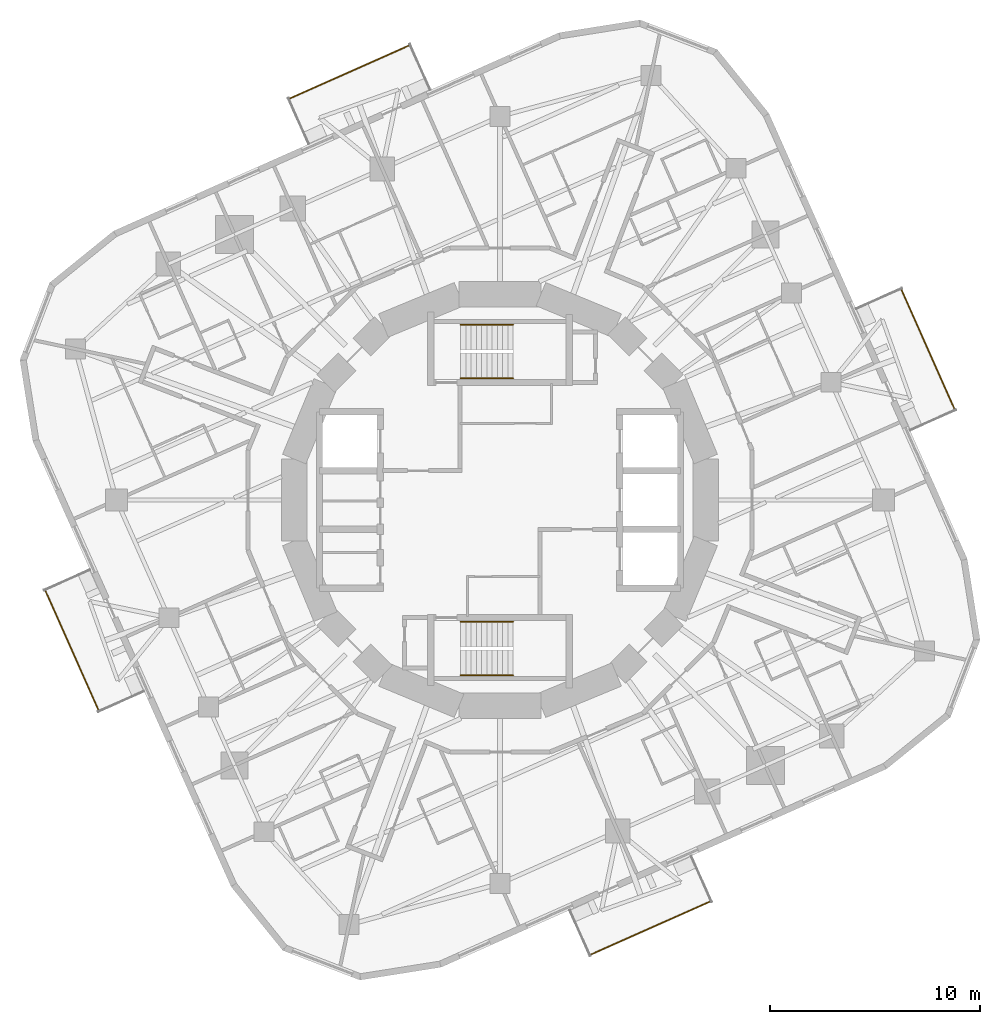
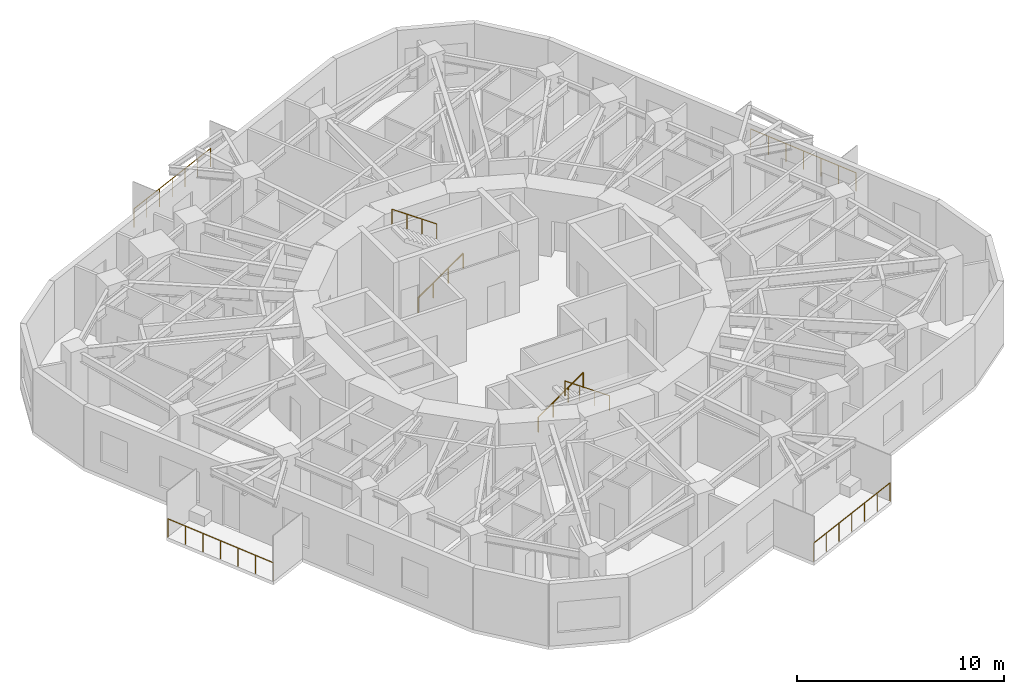
# One storey, part 11 of 12: 8 railings.
"""IFC4 building model written with IfcOpenShell, lengths in metres."""

import ifcopenshell
import ifcopenshell.guid

model = None  # the IFC model being written
_history = None  # IfcOwnerHistory: only IFC2X3 demands one
_inside = {}  # id of a spatial element -> (the spatial element, [elements in it])
_under = {}  # id of a project, library or spatial element -> (it, [spatial elements below it])
_declared = {}  # id of a project -> (the project, [libraries it declares])
_typed = {}  # id of a type object -> (the type object, [elements of that type])
_made_of = {}  # id of a material, layer set ... -> (it, [elements and type objects made of it])


def new_model(schema):
    """Start an empty IFC model of exactly this schema.

    Asked for "IFC4X3", IfcOpenShell would pick the latest addendum, in which some entities
    have other attributes; the version numbers below select the first issue.
    IFC2X3 requires an IfcOwnerHistory on every rooted entity: one is made here for all.
    """
    global model, _history
    if schema == "IFC4X3":
        model = ifcopenshell.file(schema_version=(4, 3, 0, 0))
    else:
        model = ifcopenshell.file(schema=schema)
    _inside.clear()
    _under.clear()
    _declared.clear()
    _typed.clear()
    _made_of.clear()
    _history = None
    if model.schema == "IFC2X3":
        org = make("IfcOrganization", Name="unknown")
        user = make(
            "IfcPersonAndOrganization",
            ThePerson=make("IfcPerson", FamilyName="unknown"),
            TheOrganization=org,
        )
        app = make(
            "IfcApplication",
            ApplicationDeveloper=org,
            Version="unknown",
            ApplicationFullName="unknown",
            ApplicationIdentifier="unknown",
        )
        _history = make(
            "IfcOwnerHistory",
            OwningUser=user,
            OwningApplication=app,
            ChangeAction="ADDED",
            CreationDate=0,
        )
    return model


def make(cls, **values):
    """One entity of the class cls with the attributes given. An attribute that is None is left unset."""
    return model.create_entity(
        cls, **{name: value for name, value in values.items() if value is not None}
    )


def rooted(cls, **values):
    """An entity with a GlobalId (a new one), such as an element, a storey or a relation."""
    return make(cls, GlobalId=ifcopenshell.guid.new(), OwnerHistory=_history, **values)


def si_unit(unit_type, name, prefix=None):
    """IfcSIUnit, for example si_unit("LENGTHUNIT", "METRE", prefix="MILLI")."""
    return make("IfcSIUnit", UnitType=unit_type, Prefix=prefix, Name=name)


def assignment(units):
    """IfcUnitAssignment: the units of a project."""
    return None if units is None else make("IfcUnitAssignment", Units=units)


def point(xyz):
    """IfcCartesianPoint."""
    return None if xyz is None else make("IfcCartesianPoint", Coordinates=xyz)


def direction(xyz):
    """IfcDirection."""
    return None if xyz is None else make("IfcDirection", DirectionRatios=xyz)


def frame(location, z_axis=None, x_axis=None):
    """IfcAxis2Placement3D, a coordinate frame: its origin and axes. An axis left out is left unset."""
    return make(
        "IfcAxis2Placement3D",
        Location=point(location),
        Axis=direction(z_axis),
        RefDirection=direction(x_axis),
    )


def frame_2d(location, x_axis=None):
    """IfcAxis2Placement2D, a coordinate frame in the plane: its origin and x axis."""
    return make(
        "IfcAxis2Placement2D", Location=point(location), RefDirection=direction(x_axis)
    )


def origin():
    """The frame at (0, 0, 0) with its axes left unset."""
    return frame((0.0, 0.0, 0.0))


def origin_2d():
    """The frame at (0, 0) in the plane with its x axis left unset."""
    return frame_2d((0.0, 0.0))


def place(relative_to, where):
    """IfcLocalPlacement: puts the frame where relative to a parent placement (None: the world)."""
    return make(
        "IfcLocalPlacement", PlacementRelTo=relative_to, RelativePlacement=where
    )


def context(
    kind, dimensions, precision=None, world=None, true_north=None, identifier=None
):
    """IfcGeometricRepresentationContext, for example the 3D "Model" context."""
    return make(
        "IfcGeometricRepresentationContext",
        ContextIdentifier=identifier,
        ContextType=kind,
        CoordinateSpaceDimension=dimensions,
        Precision=precision,
        WorldCoordinateSystem=world,
        TrueNorth=true_north,
    )


def subcontext(parent, identifier, kind, view, scale=None):
    """IfcGeometricRepresentationSubContext, for example "Body" below "Model"."""
    return make(
        "IfcGeometricRepresentationSubContext",
        ContextIdentifier=identifier,
        ContextType=kind,
        ParentContext=parent,
        TargetScale=scale,
        TargetView=view,
    )


def project(units=None, contexts=None):
    """IfcProject with its units and contexts."""
    return rooted(
        "IfcProject",
        Name="project",
        RepresentationContexts=contexts,
        UnitsInContext=assignment(units),
    )


def spatial(cls, under=None, at=None, **own):
    """A site, building, storey or space (cls), placed at a placement, below another one or the project."""
    s = rooted(cls, ObjectPlacement=at, **own)
    if under is not None:
        _under.setdefault(under.id(), (under, []))[1].append(s)
    return s


def profile(cls, at=None, kind="AREA", **sizes):
    """A parametric profile (cls). Its sizes go by their IFC names, for example OverallWidth=200.0."""
    return make(cls, ProfileType=kind, Position=at, **sizes)


def circle(**sizes):
    """IfcCircleProfileDef."""
    return profile("IfcCircleProfileDef", **sizes)


def extrude(swept, where, along, depth):
    """IfcExtrudedAreaSolid: the profile swept, set in the frame where, extruded along a direction by depth."""
    return make(
        "IfcExtrudedAreaSolid",
        SweptArea=swept,
        Position=where,
        ExtrudedDirection=direction(along),
        Depth=depth,
    )


def shape(context_of_items, identifier, shape_type, items):
    """IfcShapeRepresentation: the items that make up one representation, for example the "Body"."""
    return make(
        "IfcShapeRepresentation",
        ContextOfItems=context_of_items,
        RepresentationIdentifier=identifier,
        RepresentationType=shape_type,
        Items=items,
    )


def material(Name=None, Category=None):
    """IfcMaterial."""
    return make("IfcMaterial", Name=Name, Category=Category)


def made_of(thing, what):
    """Note that an element or type object is made of a material, layer set ...; save() writes the relation."""
    if what is not None:
        _made_of.setdefault(what.id(), (what, []))[1].append(thing)
    return thing


def type_object(cls, material=None, **own):
    """A type object (cls), such as IfcWallType, which elements share."""
    return made_of(rooted(cls, **own), material)


def element(
    cls,
    number,
    at=None,
    inside=None,
    cuts=None,
    type_object=None,
    material=None,
    context=None,
    identifier="Body",
    shape_type=None,
    held_by="IfcProductDefinitionShape",
    body=None,
    shapes=None,
    **own,
):
    """One element of the class cls, such as IfcWall. Its Tag is "e" and its number.

    at: its placement. inside: the storey or other place that contains it. cuts: it is an
    opening in that element (IfcRelVoidsElement). A single representation is given by context,
    identifier, shape_type and body (its items); several are given by shapes. held_by: the class
    of the entity that holds the representations. save() writes the other relations.
    """
    e = rooted(cls, Tag="e%d" % number, ObjectPlacement=at, **own)
    if body is not None:
        shapes = [shape(context, identifier, shape_type, body)]
    if shapes is not None:
        e.Representation = make(held_by, Representations=shapes)
    if inside is not None:
        _inside.setdefault(inside.id(), (inside, []))[1].append(e)
    if cuts is not None:
        rooted(
            "IfcRelVoidsElement", RelatingBuildingElement=cuts, RelatedOpeningElement=e
        )
    if type_object is not None:
        _typed.setdefault(type_object.id(), (type_object, []))[1].append(e)
    return made_of(e, material)


def aggregate(whole, parts):
    """IfcRelAggregates: a whole, such as a stair, and the parts it consists of."""
    return rooted("IfcRelAggregates", RelatingObject=whole, RelatedObjects=parts)


def save(model, path):
    """Write the relations noted so far, then the file.

    IfcRelAggregates (storeys below a building ...), IfcRelContainedInSpatialStructure (elements
    in a storey), IfcRelDefinesByType, IfcRelAssociatesMaterial and IfcRelDeclares: one each for
    every whole, place, type object, material and project.
    """
    for whole, parts in _under.values():
        aggregate(whole, parts)
    for where, things in _inside.values():
        rooted(
            "IfcRelContainedInSpatialStructure",
            RelatedElements=things,
            RelatingStructure=where,
        )
    for kind, things in _typed.values():
        rooted("IfcRelDefinesByType", RelatedObjects=things, RelatingType=kind)
    for what, things in _made_of.values():
        rooted("IfcRelAssociatesMaterial", RelatedObjects=things, RelatingMaterial=what)
    for by, libraries in _declared.values():
        rooted("IfcRelDeclares", RelatingContext=by, RelatedDefinitions=libraries)
    model.write(path)


model = new_model("IFC4")

# Units and contexts
model_context = context("Model", 3, precision=1e-05, world=origin(), true_north=direction((0.0, 1.0)))
body_context = subcontext(model_context, "Body", "Model", "MODEL_VIEW")
ifc_project = project(units=[si_unit("LENGTHUNIT", "METRE"), si_unit("AREAUNIT", "SQUARE_METRE"), si_unit("VOLUMEUNIT", "CUBIC_METRE"), si_unit("PLANEANGLEUNIT", "RADIAN"), si_unit("MASSUNIT", "GRAM", prefix="KILO")], contexts=[model_context])

# Site, building, storey
site_placement = place(None, origin())
site = spatial("IfcSite", under=ifc_project, at=site_placement, CompositionType="ELEMENT")
building_placement = place(site_placement, origin())
building = spatial("IfcBuilding", under=site, at=building_placement, Name="Nakasero Lantern House", CompositionType="ELEMENT")
storey_placement = place(building_placement, frame((0.0, 0.0, 194.0)))
storey = spatial("IfcBuildingStorey", under=building, at=storey_placement, Name="L47", CompositionType="ELEMENT", Elevation=194.0)

# Railings
ifc_material_1 = material(Name="Aluminium 6063-T6", Category="aluminium")
railing_type_1 = type_object("IfcRailingType", Name="Balcony guard 1100", PredefinedType="BALUSTRADE", material=ifc_material_1)
railing_1_placement = place(storey_placement, frame((21.67529296875, 4.29931640625, 0.0)))
element("IfcRailing", 1, at=railing_1_placement, inside=storey, type_object=railing_type_1, Name="Balcony guard L47 BAL0", PredefinedType="BALUSTRADE", context=body_context, shape_type="SweptSolid", body=[
    extrude(circle(Radius=0.02392578125, at=origin_2d()), frame((0.0, 0.0, 1.076171875), z_axis=(-0.40676486805, 0.913532890552, 0.0), x_axis=(-0.913532890552, -0.40676486805, 0.0)), (0.0, 0.0, 1.0), 6.291259765625),
    extrude(circle(Radius=0.02099609375, at=origin_2d()), origin(), (0.0, 0.0, 1.0), 1.052001953125),
    extrude(circle(Radius=0.02099609375, at=origin_2d()), frame((-0.426513671875, 0.9580078125, 0.0)), (0.0, 0.0, 1.0), 1.052001953125),
    extrude(circle(Radius=0.02099609375, at=origin_2d()), frame((-0.85302734375, 1.915771484375, 0.0)), (0.0, 0.0, 1.0), 1.052001953125),
    extrude(circle(Radius=0.02099609375, at=origin_2d()), frame((-1.279541015625, 2.87353515625, 0.0)), (0.0, 0.0, 1.0), 1.052001953125),
    extrude(circle(Radius=0.02099609375, at=origin_2d()), frame((-1.7060546875, 3.83154296875, 0.0)), (0.0, 0.0, 1.0), 1.052001953125),
    extrude(circle(Radius=0.02099609375, at=origin_2d()), frame((-2.132568359375, 4.78955078125, 0.0)), (0.0, 0.0, 1.0), 1.052001953125),
    extrude(circle(Radius=0.02099609375, at=origin_2d()), frame((-2.55908203125, 5.747314453125, 0.0)), (0.0, 0.0, 1.0), 1.052001953125),
])
railing_2_placement = place(storey_placement, frame((-4.29931640625, 21.67529296875, 0.0)))
element("IfcRailing", 2, at=railing_2_placement, inside=storey, type_object=railing_type_1, Name="Balcony guard L47 BAL1", PredefinedType="BALUSTRADE", context=body_context, shape_type="SweptSolid", body=[
    extrude(circle(Radius=0.02392578125, at=origin_2d()), frame((0.0, 0.0, 1.076171875), z_axis=(-0.913532890552, -0.40676486805, 0.0), x_axis=(0.40676486805, -0.913532890552, 0.0)), (0.0, 0.0, 1.0), 6.291259765625),
    extrude(circle(Radius=0.02099609375, at=origin_2d()), origin(), (0.0, 0.0, 1.0), 1.052001953125),
    extrude(circle(Radius=0.02099609375, at=origin_2d()), frame((-0.9580078125, -0.426513671875, 0.0)), (0.0, 0.0, 1.0), 1.052001953125),
    extrude(circle(Radius=0.02099609375, at=origin_2d()), frame((-1.915771484375, -0.85302734375, 0.0)), (0.0, 0.0, 1.0), 1.052001953125),
    extrude(circle(Radius=0.02099609375, at=origin_2d()), frame((-2.87353515625, -1.279541015625, 0.0)), (0.0, 0.0, 1.0), 1.052001953125),
    extrude(circle(Radius=0.02099609375, at=origin_2d()), frame((-3.83154296875, -1.7060546875, 0.0)), (0.0, 0.0, 1.0), 1.052001953125),
    extrude(circle(Radius=0.02099609375, at=origin_2d()), frame((-4.78955078125, -2.132568359375, 0.0)), (0.0, 0.0, 1.0), 1.052001953125),
    extrude(circle(Radius=0.02099609375, at=origin_2d()), frame((-5.747314453125, -2.55908203125, 0.0)), (0.0, 0.0, 1.0), 1.052001953125),
])
railing_3_placement = place(storey_placement, frame((-21.67529296875, -4.29931640625, 0.0)))
element("IfcRailing", 3, at=railing_3_placement, inside=storey, type_object=railing_type_1, Name="Balcony guard L47 BAL2", PredefinedType="BALUSTRADE", context=body_context, shape_type="SweptSolid", body=[
    extrude(circle(Radius=0.02392578125, at=origin_2d()), frame((0.0, 0.0, 1.076171875), z_axis=(0.40676486805, -0.913532890552, 0.0), x_axis=(0.913532890552, 0.40676486805, 0.0)), (0.0, 0.0, 1.0), 6.291259765625),
    extrude(circle(Radius=0.02099609375, at=origin_2d()), origin(), (0.0, 0.0, 1.0), 1.052001953125),
    extrude(circle(Radius=0.02099609375, at=origin_2d()), frame((0.426513671875, -0.9580078125, 0.0)), (0.0, 0.0, 1.0), 1.052001953125),
    extrude(circle(Radius=0.02099609375, at=origin_2d()), frame((0.85302734375, -1.915771484375, 0.0)), (0.0, 0.0, 1.0), 1.052001953125),
    extrude(circle(Radius=0.02099609375, at=origin_2d()), frame((1.279541015625, -2.87353515625, 0.0)), (0.0, 0.0, 1.0), 1.052001953125),
    extrude(circle(Radius=0.02099609375, at=origin_2d()), frame((1.7060546875, -3.83154296875, 0.0)), (0.0, 0.0, 1.0), 1.052001953125),
    extrude(circle(Radius=0.02099609375, at=origin_2d()), frame((2.132568359375, -4.78955078125, 0.0)), (0.0, 0.0, 1.0), 1.052001953125),
    extrude(circle(Radius=0.02099609375, at=origin_2d()), frame((2.55908203125, -5.747314453125, 0.0)), (0.0, 0.0, 1.0), 1.052001953125),
])
railing_4_placement = place(storey_placement, frame((4.29931640625, -21.67529296875, 0.0)))
element("IfcRailing", 4, at=railing_4_placement, inside=storey, type_object=railing_type_1, Name="Balcony guard L47 BAL3", PredefinedType="BALUSTRADE", context=body_context, shape_type="SweptSolid", body=[
    extrude(circle(Radius=0.02392578125, at=origin_2d()), frame((0.0, 0.0, 1.076171875), z_axis=(0.913532890552, 0.40676486805, 0.0), x_axis=(-0.40676486805, 0.913532890552, 0.0)), (0.0, 0.0, 1.0), 6.291259765625),
    extrude(circle(Radius=0.02099609375, at=origin_2d()), origin(), (0.0, 0.0, 1.0), 1.052001953125),
    extrude(circle(Radius=0.02099609375, at=origin_2d()), frame((0.9580078125, 0.426513671875, 0.0)), (0.0, 0.0, 1.0), 1.052001953125),
    extrude(circle(Radius=0.02099609375, at=origin_2d()), frame((1.915771484375, 0.85302734375, 0.0)), (0.0, 0.0, 1.0), 1.052001953125),
    extrude(circle(Radius=0.02099609375, at=origin_2d()), frame((2.87353515625, 1.279541015625, 0.0)), (0.0, 0.0, 1.0), 1.052001953125),
    extrude(circle(Radius=0.02099609375, at=origin_2d()), frame((3.83154296875, 1.7060546875, 0.0)), (0.0, 0.0, 1.0), 1.052001953125),
    extrude(circle(Radius=0.02099609375, at=origin_2d()), frame((4.78955078125, 2.132568359375, 0.0)), (0.0, 0.0, 1.0), 1.052001953125),
    extrude(circle(Radius=0.02099609375, at=origin_2d()), frame((5.747314453125, 2.55908203125, 0.0)), (0.0, 0.0, 1.0), 1.052001953125),
])
ifc_material_2 = material(Name="Stainless steel 316", Category="steel")
railing_type_2 = type_object("IfcRailingType", Name="Stair handrail 900", PredefinedType="HANDRAIL", material=ifc_material_2)
railing_5_placement = place(storey_placement, frame((-1.875, 5.800048828125, 0.175048828125)))
element("IfcRailing", 5, at=railing_5_placement, inside=storey, type_object=railing_type_2, Name="Handrail ST1 L47 flight 1", PredefinedType="HANDRAIL", context=body_context, shape_type="SweptSolid", body=[
    extrude(circle(Radius=0.02392578125, at=origin_2d()), frame((0.0, 0.0, 0.8759765625), z_axis=(0.819231920519, 0.0, 0.573462344363), x_axis=(0.0, 1.0, 0.0)), (0.0, 0.0, 1.0), 3.0517578125),
    extrude(circle(Radius=0.02099609375, at=origin_2d()), origin(), (0.0, 0.0, 1.0), 0.851806640625),
    extrude(circle(Radius=0.02099609375, at=origin_2d()), frame((0.833251953125, 0.0, 0.583251953125)), (0.0, 0.0, 1.0), 0.851806640625),
    extrude(circle(Radius=0.02099609375, at=origin_2d()), frame((1.666748046875, 0.0, 1.166748046875)), (0.0, 0.0, 1.0), 0.851806640625),
    extrude(circle(Radius=0.02099609375, at=origin_2d()), frame((2.5, 0.0, 1.75)), (0.0, 0.0, 1.0), 0.851806640625),
])
railing_6_placement = place(storey_placement, frame((0.625, 8.35009765625, 2.10009765625)))
element("IfcRailing", 6, at=railing_6_placement, inside=storey, type_object=railing_type_2, Name="Handrail ST1 L47 flight 2", PredefinedType="HANDRAIL", context=body_context, shape_type="SweptSolid", body=[
    extrude(circle(Radius=0.02392578125, at=origin_2d()), frame((0.0, 0.0, 0.8759765625), z_axis=(-0.819231920519, 0.0, 0.573462344363), x_axis=(0.0, -1.0, 0.0)), (0.0, 0.0, 1.0), 3.0517578125),
    extrude(circle(Radius=0.02099609375, at=origin_2d()), origin(), (0.0, 0.0, 1.0), 0.851806640625),
    extrude(circle(Radius=0.02099609375, at=origin_2d()), frame((-0.833251953125, 0.0, 0.583251953125)), (0.0, 0.0, 1.0), 0.851806640625),
    extrude(circle(Radius=0.02099609375, at=origin_2d()), frame((-1.666748046875, 0.0, 1.166748046875)), (0.0, 0.0, 1.0), 0.851806640625),
    extrude(circle(Radius=0.02099609375, at=origin_2d()), frame((-2.5, 0.0, 1.75)), (0.0, 0.0, 1.0), 0.851806640625),
])
railing_7_placement = place(storey_placement, frame((-1.875, -5.800048828125, 0.175048828125)))
element("IfcRailing", 7, at=railing_7_placement, inside=storey, type_object=railing_type_2, Name="Handrail ST2 L47 flight 1", PredefinedType="HANDRAIL", context=body_context, shape_type="SweptSolid", body=[
    extrude(circle(Radius=0.02392578125, at=origin_2d()), frame((0.0, 0.0, 0.8759765625), z_axis=(0.819231920519, 0.0, 0.573462344363), x_axis=(0.0, 1.0, 0.0)), (0.0, 0.0, 1.0), 3.0517578125),
    extrude(circle(Radius=0.02099609375, at=origin_2d()), origin(), (0.0, 0.0, 1.0), 0.851806640625),
    extrude(circle(Radius=0.02099609375, at=origin_2d()), frame((0.833251953125, 0.0, 0.583251953125)), (0.0, 0.0, 1.0), 0.851806640625),
    extrude(circle(Radius=0.02099609375, at=origin_2d()), frame((1.666748046875, 0.0, 1.166748046875)), (0.0, 0.0, 1.0), 0.851806640625),
    extrude(circle(Radius=0.02099609375, at=origin_2d()), frame((2.5, 0.0, 1.75)), (0.0, 0.0, 1.0), 0.851806640625),
])
railing_8_placement = place(storey_placement, frame((0.625, -8.35009765625, 2.10009765625)))
element("IfcRailing", 8, at=railing_8_placement, inside=storey, type_object=railing_type_2, Name="Handrail ST2 L47 flight 2", PredefinedType="HANDRAIL", context=body_context, shape_type="SweptSolid", body=[
    extrude(circle(Radius=0.02392578125, at=origin_2d()), frame((0.0, 0.0, 0.8759765625), z_axis=(-0.819231920519, 0.0, 0.573462344363), x_axis=(0.0, -1.0, 0.0)), (0.0, 0.0, 1.0), 3.0517578125),
    extrude(circle(Radius=0.02099609375, at=origin_2d()), origin(), (0.0, 0.0, 1.0), 0.851806640625),
    extrude(circle(Radius=0.02099609375, at=origin_2d()), frame((-0.833251953125, 0.0, 0.583251953125)), (0.0, 0.0, 1.0), 0.851806640625),
    extrude(circle(Radius=0.02099609375, at=origin_2d()), frame((-1.666748046875, 0.0, 1.166748046875)), (0.0, 0.0, 1.0), 0.851806640625),
    extrude(circle(Radius=0.02099609375, at=origin_2d()), frame((-2.5, 0.0, 1.75)), (0.0, 0.0, 1.0), 0.851806640625),
])

save(model, "model.ifc")
